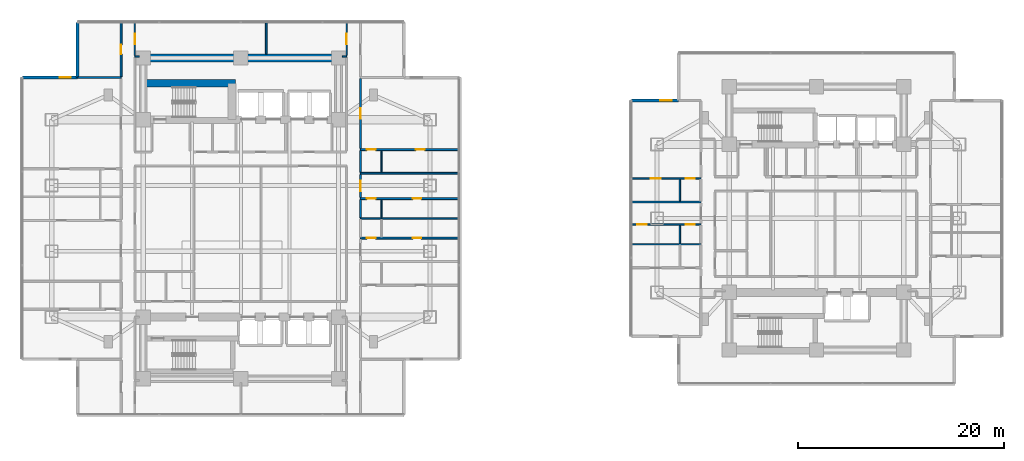
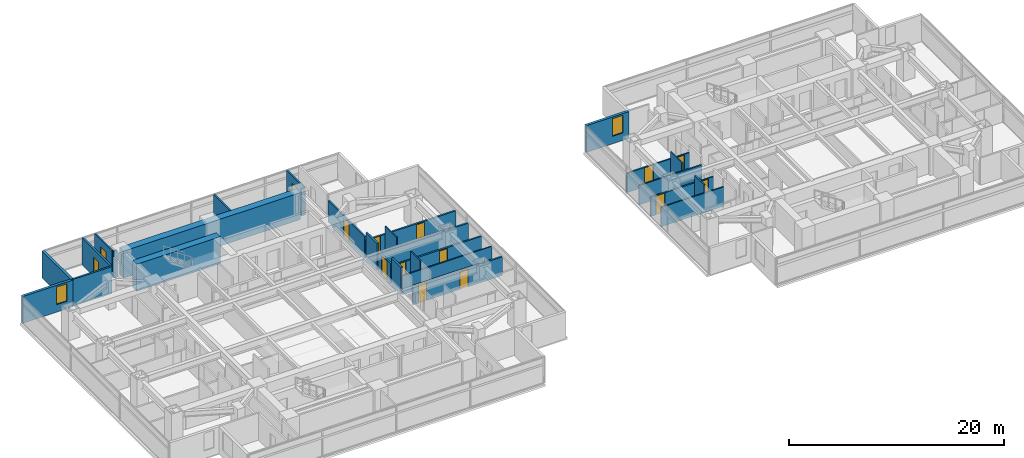
# One storey, part 15 of 26: 29 walls, 15 doors, 2 windows, 17 openings.
"""IFC4 building model written with IfcOpenShell, lengths in metres."""

from ifc_helpers import new_model, si_unit, direction, frame, frame_2d, origin, place, context, subcontext, project, spatial, rectangle, extrude, material, layer, layer_set, type_object, element, fill, save


model = new_model("IFC4")

# Units and contexts
model_context = context("Model", 3, precision=1e-05, world=origin(), true_north=direction((0.0, 1.0)))
body_context = subcontext(model_context, "Body", "Model", "MODEL_VIEW")
ifc_project = project(units=[si_unit("LENGTHUNIT", "METRE"), si_unit("AREAUNIT", "SQUARE_METRE"), si_unit("VOLUMEUNIT", "CUBIC_METRE"), si_unit("PLANEANGLEUNIT", "RADIAN"), si_unit("MASSUNIT", "GRAM", prefix="KILO")], contexts=[model_context])

# Site, building, storey
site_placement = place(None, origin())
site = spatial("IfcSite", under=ifc_project, at=site_placement, CompositionType="ELEMENT")
building_placement = place(site_placement, origin())
building = spatial("IfcBuilding", under=site, at=building_placement, Name="Mirazonda Arch Towers", CompositionType="ELEMENT")
storey_placement = place(building_placement, frame((0.0, 0.0, 25.699951171875)))
storey = spatial("IfcBuildingStorey", under=building, at=storey_placement, Name="L06", CompositionType="ELEMENT", Elevation=25.699951171875)

# Walls
ifc_material_1 = material(Name="Concrete C60/75", Category="concrete")
ifc_layer_1 = layer(ifc_material_1, 0.75, Name="WALL-CORE-750")
ifc_layer_set_1 = layer_set([ifc_layer_1], Name="Concrete C60/75")
wall_type_1 = type_object("IfcWallType", Name="WALL-CORE-750", PredefinedType="SHEAR", material=ifc_layer_set_1)
wall_1_placement = place(storey_placement, frame((11.0, 43.60009765625, 0.0), z_axis=(0.0, 0.0, 1.0), x_axis=(1.0, 0.0, 0.0)))
element("IfcWall", 1, at=wall_1_placement, inside=storey, type_object=wall_type_1, Name="L06 T1N-N Core Shear Wall", PredefinedType="SHEAR", context=body_context, shape_type="SweptSolid", body=[
    extrude(rectangle(XDim=19.0, YDim=0.75, at=frame_2d((9.5, 0.0))), origin(), (0.0, 0.0, 1.0), 3.06005859375),
])
wall_2_placement = place(storey_placement, frame((11.0, 41.14306640625, 0.0), z_axis=(0.0, 0.0, 1.0), x_axis=(1.0, 0.0, 0.0)))
element("IfcWall", 2, at=wall_2_placement, inside=storey, type_object=wall_type_1, Name="L06 T1N-STN Core Shear Wall", PredefinedType="SHEAR", context=body_context, shape_type="SweptSolid", body=[
    extrude(rectangle(XDim=9.0, YDim=0.75, at=frame_2d((4.5, 0.0))), origin(), (0.0, 0.0, 1.0), 3.06005859375),
])

# Wall, opening, window
ifc_material_2 = material(Name="Precast Concrete C40/50", Category="concrete")
ifc_layer_2 = layer(ifc_material_2, 0.280029296875, Name="WALL-EXT-WALL-280")
ifc_layer_set_2 = layer_set([ifc_layer_2], Name="Precast Concrete C40/50")
wall_type_2 = type_object("IfcWallType", Name="WALL-EXT-WALL-280", PredefinedType="SOLIDWALL", material=ifc_layer_set_2)
wall_3_placement = place(storey_placement, frame((4.6201171875, 41.697998046875, 0.0), z_axis=(0.0, 0.0, 1.0), x_axis=(-1.0, 0.0, 0.0)))
wall_3 = element("IfcWall", 3, at=wall_3_placement, inside=storey, type_object=wall_type_2, Name="L06 T1 Corner Notch Return Wall WL-L06-T1-CNW1", PredefinedType="SOLIDWALL", context=body_context, shape_type="SweptSolid", body=[
    extrude(rectangle(XDim=5.380126953125, YDim=0.280029296875, at=frame_2d((2.68994140625, 0.0))), origin(), (0.0, 0.0, 1.0), 3.0400390625),
])
opening_1_placement = place(wall_3_placement, frame((0.64990234375, 0.0, 0.85009765625)))
opening_1 = element("IfcOpeningElement", 4, at=opening_1_placement, cuts=wall_3, Name="Opening WN-108", PredefinedType="OPENING", context=body_context, shape_type="SweptSolid", body=[
    extrude(rectangle(XDim=1.10009765625, YDim=2.0, at=frame_2d((0.550048828125, 1.0))), frame((0.0, 0.14990234375, 0.0), z_axis=(0.0, -1.0, 0.0), x_axis=(1.0, 0.0, 0.0)), (0.0, 0.0, 1.0), 0.300048828125),
])
ifc_material_3 = material(Name="Insulated Low-E Solar Glass", Category="glass")
window_type = type_object("IfcWindowType", Name="WIN-NOTCH-1100x2000", PartitioningType="SINGLE_PANEL", PredefinedType="WINDOW", material=ifc_material_3)
window_1_placement = place(opening_1_placement, origin())
window_1 = element("IfcWindow", 5, at=window_1_placement, inside=storey, type_object=window_type, Name="L06 Punched Facade Window WN-L06-T1-CNW1", OverallHeight=2.0, OverallWidth=1.10009765625, PartitioningType="SINGLE_PANEL", PredefinedType="WINDOW", context=body_context, shape_type="SweptSolid", body=[
    extrude(rectangle(XDim=1.10009765625, YDim=2.0, at=frame_2d((0.550048828125, 1.0))), frame((0.0, 0.030029296875, 0.0), z_axis=(0.0, -1.0, 0.0), x_axis=(1.0, 0.0, 0.0)), (0.0, 0.0, 1.0), 0.06005859375),
])
fill(opening_1, window_1)

# Wall
wall_4_placement = place(storey_placement, frame((4.6201171875, 47.077880859375, 0.0), z_axis=(0.0, 0.0, 1.0), x_axis=(0.0, -1.0, 0.0)))
element("IfcWall", 6, at=wall_4_placement, inside=storey, type_object=wall_type_2, Name="L06 T1 Corner Notch Return Wall WL-L06-T1-CNW2", PredefinedType="SOLIDWALL", context=body_context, shape_type="SweptSolid", body=[
    extrude(rectangle(XDim=5.3798828125, YDim=0.280029296875, at=frame_2d((2.68994140625, 0.0))), origin(), (0.0, 0.0, 1.0), 3.0400390625),
])

# Wall, opening, window
wall_5_placement = place(storey_placement, frame((63.06201171875, 39.4833984375, 0.0), z_axis=(0.0, 0.0, 1.0), x_axis=(-1.0, 0.0, 0.0)))
wall_5 = element("IfcWall", 7, at=wall_5_placement, inside=storey, type_object=wall_type_2, Name="L06 T2 Corner Notch Return Wall WL-L06-T2-CNW1", PredefinedType="SOLIDWALL", context=body_context, shape_type="SweptSolid", body=[
    extrude(rectangle(XDim=4.580078125, YDim=0.280029296875, at=frame_2d((2.2900390625, 0.0))), origin(), (0.0, 0.0, 1.0), 3.0400390625),
])
opening_2_placement = place(wall_5_placement, frame((0.64990234375, 0.0, 0.85009765625)))
opening_2 = element("IfcOpeningElement", 8, at=opening_2_placement, cuts=wall_5, Name="Opening WN-108", PredefinedType="OPENING", context=body_context, shape_type="SweptSolid", body=[
    extrude(rectangle(XDim=1.10009765625, YDim=2.0, at=frame_2d((0.550048828125, 1.0))), frame((0.0, 0.14990234375, 0.0), z_axis=(0.0, -1.0, 0.0), x_axis=(1.0, 0.0, 0.0)), (0.0, 0.0, 1.0), 0.300048828125),
])
window_2_placement = place(opening_2_placement, origin())
window_2 = element("IfcWindow", 9, at=window_2_placement, inside=storey, type_object=window_type, Name="L06 Punched Facade Window WN-L06-T2-CNW1", OverallHeight=2.0, OverallWidth=1.10009765625, PartitioningType="SINGLE_PANEL", PredefinedType="WINDOW", context=body_context, shape_type="SweptSolid", body=[
    extrude(rectangle(XDim=1.10009765625, YDim=2.0, at=frame_2d((0.550048828125, 1.0))), frame((0.0, 0.030029296875, 0.0), z_axis=(0.0, -1.0, 0.0), x_axis=(1.0, 0.0, 0.0)), (0.0, 0.0, 1.0), 0.06005859375),
])
fill(opening_2, window_2)

# Wall, openings, doors
ifc_material_4 = material(Name="Fire-Rated Gypsum Stud Partition")
ifc_layer_3 = layer(ifc_material_4, 0.14990234375, Name="WALL-PART-CORR-150")
ifc_layer_set_3 = layer_set([ifc_layer_3], Name="Fire-Rated Gypsum Stud Partition")
wall_type_3 = type_object("IfcWallType", Name="WALL-PART-CORR-150", PredefinedType="PARTITIONING", material=ifc_layer_set_3)
wall_6_placement = place(storey_placement, frame((58.48193359375, 27.412109375, 0.0), z_axis=(0.0, 0.0, 1.0), x_axis=(1.0, 0.0, 0.0)))
wall_6 = element("IfcWall", 10, at=wall_6_placement, inside=storey, type_object=wall_type_3, Name="L06 Interior Partition 032", PredefinedType="PARTITIONING", context=body_context, shape_type="SweptSolid", body=[
    extrude(rectangle(XDim=6.76806640625, YDim=0.14990234375, at=frame_2d((3.384033203125, 0.0))), origin(), (0.0, 0.0, 1.0), 2.196044921875),
])
opening_3_placement = place(wall_6_placement, frame((0.55908203125, 0.0, 0.0)))
opening_3 = element("IfcOpeningElement", 11, at=opening_3_placement, cuts=wall_6, Name="Opening DR-104", PredefinedType="OPENING", context=body_context, shape_type="SweptSolid", body=[
    extrude(rectangle(XDim=0.949951171875, YDim=2.14990234375, at=frame_2d((0.47509765625, 1.074951171875))), frame((0.0, 0.0849609375, 0.0), z_axis=(0.0, -1.0, 0.0), x_axis=(1.0, 0.0, 0.0)), (0.0, 0.0, 1.0), 0.169921875),
])
opening_4_placement = place(wall_6_placement, frame((5.278076171875, 0.0, 0.0)))
opening_4 = element("IfcOpeningElement", 12, at=opening_4_placement, cuts=wall_6, Name="Opening DR-120", PredefinedType="OPENING", context=body_context, shape_type="SweptSolid", body=[
    extrude(rectangle(XDim=0.89990234375, YDim=2.10009765625, at=frame_2d((0.449951171875, 1.050048828125))), frame((0.0, 0.0849609375, 0.0), z_axis=(0.0, -1.0, 0.0), x_axis=(1.0, 0.0, 0.0)), (0.0, 0.0, 1.0), 0.169921875),
])
ifc_material_5 = material(Name="Architectural Brushed Steel S355", Category="steel")
door_type_1 = type_object("IfcDoorType", Name="DOOR-ROOM-950", OperationType="NOTDEFINED", PredefinedType="DOOR", material=ifc_material_5)
door_1_placement = place(opening_3_placement, origin())
door_1 = element("IfcDoor", 13, at=door_1_placement, inside=storey, type_object=door_type_1, Name="L06 Guestroom Study 2 Door", OperationType="SINGLE_SWING_LEFT", OverallHeight=2.14990234375, OverallWidth=0.949951171875, PredefinedType="DOOR", context=body_context, shape_type="SweptSolid", body=[
    extrude(rectangle(XDim=0.949951171875, YDim=2.14990234375, at=frame_2d((0.47509765625, 1.074951171875))), frame((0.0, 0.02490234375, 0.0), z_axis=(0.0, -1.0, 0.0), x_axis=(1.0, 0.0, 0.0)), (0.0, 0.0, 1.0), 0.050048828125),
])
fill(opening_3, door_1)
door_type_2 = type_object("IfcDoorType", Name="DOOR-WC-900", OperationType="NOTDEFINED", PredefinedType="DOOR", material=ifc_material_5)
door_2_placement = place(opening_4_placement, origin())
door_2 = element("IfcDoor", 14, at=door_2_placement, inside=storey, type_object=door_type_2, Name="L06 En-Suite Bathroom 2 Door", OperationType="SINGLE_SWING_RIGHT", OverallHeight=2.10009765625, OverallWidth=0.89990234375, PredefinedType="DOOR", context=body_context, shape_type="SweptSolid", body=[
    extrude(rectangle(XDim=0.89990234375, YDim=2.10009765625, at=frame_2d((0.449951171875, 1.050048828125))), frame((0.0, 0.02490234375, 0.0), z_axis=(0.0, -1.0, 0.0), x_axis=(1.0, 0.0, 0.0)), (0.0, 0.0, 1.0), 0.050048828125),
])
fill(opening_4, door_2)

# Wall
wall_7_placement = place(storey_placement, frame((58.48193359375, 29.595947265625, 0.0), z_axis=(0.0, 0.0, 1.0), x_axis=(1.0, 0.0, 0.0)))
element("IfcWall", 15, at=wall_7_placement, inside=storey, type_object=wall_type_3, Name="L06 Interior Partition 036", PredefinedType="PARTITIONING", context=body_context, shape_type="SweptSolid", body=[
    extrude(rectangle(XDim=6.76806640625, YDim=0.14990234375, at=frame_2d((3.384033203125, 0.0))), origin(), (0.0, 0.0, 1.0), 2.196044921875),
])

# Wall, openings, doors
wall_8_placement = place(storey_placement, frame((58.48193359375, 31.89599609375, 0.0), z_axis=(0.0, 0.0, 1.0), x_axis=(1.0, 0.0, 0.0)))
wall_8 = element("IfcWall", 16, at=wall_8_placement, inside=storey, type_object=wall_type_3, Name="L06 Interior Partition 040", PredefinedType="PARTITIONING", context=body_context, shape_type="SweptSolid", body=[
    extrude(rectangle(XDim=6.76806640625, YDim=0.14990234375, at=frame_2d((3.384033203125, 0.0))), origin(), (0.0, 0.0, 1.0), 2.196044921875),
])
opening_5_placement = place(wall_8_placement, frame((1.908935546875, 0.0, 0.0)))
opening_5 = element("IfcOpeningElement", 17, at=opening_5_placement, cuts=wall_8, Name="Opening DR-104", PredefinedType="OPENING", context=body_context, shape_type="SweptSolid", body=[
    extrude(rectangle(XDim=0.949951171875, YDim=2.14990234375, at=frame_2d((0.47509765625, 1.074951171875))), frame((0.0, 0.0849609375, 0.0), z_axis=(0.0, -1.0, 0.0), x_axis=(1.0, 0.0, 0.0)), (0.0, 0.0, 1.0), 0.169921875),
])
opening_6_placement = place(wall_8_placement, frame((5.278076171875, 0.0, 0.0)))
opening_6 = element("IfcOpeningElement", 18, at=opening_6_placement, cuts=wall_8, Name="Opening DR-120", PredefinedType="OPENING", context=body_context, shape_type="SweptSolid", body=[
    extrude(rectangle(XDim=0.89990234375, YDim=2.10009765625, at=frame_2d((0.449951171875, 1.050048828125))), frame((0.0, 0.0849609375, 0.0), z_axis=(0.0, -1.0, 0.0), x_axis=(1.0, 0.0, 0.0)), (0.0, 0.0, 1.0), 0.169921875),
])
door_3_placement = place(opening_5_placement, origin())
door_3 = element("IfcDoor", 19, at=door_3_placement, inside=storey, type_object=door_type_1, Name="L06 Guestroom Study 3 Door", OperationType="SINGLE_SWING_RIGHT", OverallHeight=2.14990234375, OverallWidth=0.949951171875, PredefinedType="DOOR", context=body_context, shape_type="SweptSolid", body=[
    extrude(rectangle(XDim=0.949951171875, YDim=2.14990234375, at=frame_2d((0.47509765625, 1.074951171875))), frame((0.0, 0.02490234375, 0.0), z_axis=(0.0, -1.0, 0.0), x_axis=(1.0, 0.0, 0.0)), (0.0, 0.0, 1.0), 0.050048828125),
])
fill(opening_5, door_3)
door_4_placement = place(opening_6_placement, origin())
door_4 = element("IfcDoor", 20, at=door_4_placement, inside=storey, type_object=door_type_2, Name="L06 En-Suite Bathroom 3 Door", OperationType="SINGLE_SWING_LEFT", OverallHeight=2.10009765625, OverallWidth=0.89990234375, PredefinedType="DOOR", context=body_context, shape_type="SweptSolid", body=[
    extrude(rectangle(XDim=0.89990234375, YDim=2.10009765625, at=frame_2d((0.449951171875, 1.050048828125))), frame((0.0, 0.02490234375, 0.0), z_axis=(0.0, -1.0, 0.0), x_axis=(1.0, 0.0, 0.0)), (0.0, 0.0, 1.0), 0.050048828125),
])
fill(opening_6, door_4)

# Walls
for number, where, z_axis, x_axis, name in (
    (21, (10.199951171875, 43.75, 0.0), (0.0, 0.0, 1.0), (1.0, 0.0, 0.0), "L06 Interior Partition 061"),
    (22, (30.3701171875, 43.75, 0.0), (0.0, 0.0, 1.0), (1.0, 0.0, 0.0), "L06 Interior Partition 062"),
):
    element("IfcWall", number, at=place(storey_placement, frame(where, z_axis=z_axis, x_axis=x_axis)), inside=storey, type_object=wall_type_3, Name=name, PredefinedType="PARTITIONING", context=body_context, shape_type="SweptSolid", body=[
        extrude(rectangle(XDim=0.429931640625, YDim=0.14990234375, at=frame_2d((0.21484375, 0.0))), origin(), (0.0, 0.0, 1.0), 3.06005859375),
    ])

# Wall, opening, door
wall_9_placement = place(storey_placement, frame((10.199951171875, 43.8349609375, 0.0), z_axis=(0.0, 0.0, 1.0), x_axis=(0.0, 1.0, 0.0)))
wall_9 = element("IfcWall", 23, at=wall_9_placement, inside=storey, type_object=wall_type_3, Name="L06 Interior Partition 079", PredefinedType="PARTITIONING", context=body_context, shape_type="SweptSolid", body=[
    extrude(rectangle(XDim=3.242919921875, YDim=0.14990234375, at=frame_2d((1.62158203125, 0.0))), origin(), (0.0, 0.0, 1.0), 3.06005859375),
])
opening_7_placement = place(wall_9_placement, frame((1.096435546875, 0.0, 0.0)))
opening_7 = element("IfcOpeningElement", 24, at=opening_7_placement, cuts=wall_9, Name="Opening DR-121", PredefinedType="OPENING", context=body_context, shape_type="SweptSolid", body=[
    extrude(rectangle(XDim=1.050048828125, YDim=2.199951171875, at=frame_2d((0.52490234375, 1.10009765625))), frame((0.0, 0.0849609375, 0.0), z_axis=(0.0, -1.0, 0.0), x_axis=(1.0, 0.0, 0.0)), (0.0, 0.0, 1.0), 0.169921875),
])
door_type_3 = type_object("IfcDoorType", Name="DOOR-SUITE-FD60-1050", OperationType="NOTDEFINED", PredefinedType="DOOR", material=ifc_material_5)
door_5_placement = place(opening_7_placement, origin())
door_5 = element("IfcDoor", 25, at=door_5_placement, inside=storey, type_object=door_type_3, Name="L06 North Reading Salon West Door", OperationType="SINGLE_SWING_RIGHT", OverallHeight=2.199951171875, OverallWidth=1.050048828125, PredefinedType="DOOR", context=body_context, shape_type="SweptSolid", body=[
    extrude(rectangle(XDim=1.050048828125, YDim=2.199951171875, at=frame_2d((0.52490234375, 1.10009765625))), frame((0.0, 0.02490234375, 0.0), z_axis=(0.0, -1.0, 0.0), x_axis=(1.0, 0.0, 0.0)), (0.0, 0.0, 1.0), 0.050048828125),
])
fill(opening_7, door_5)

# Wall
wall_10_placement = place(storey_placement, frame((22.971923828125, 43.969970703125, 0.0), z_axis=(0.0, 0.0, 1.0), x_axis=(0.0, 1.0, 0.0)))
element("IfcWall", 26, at=wall_10_placement, inside=storey, type_object=wall_type_3, Name="L06 Interior Partition 092", PredefinedType="PARTITIONING", context=body_context, shape_type="SweptSolid", body=[
    extrude(rectangle(XDim=3.10791015625, YDim=0.14990234375, at=frame_2d((1.553955078125, 0.0))), origin(), (0.0, 0.0, 1.0), 3.06005859375),
])

# Wall, opening, door
wall_11_placement = place(storey_placement, frame((30.800048828125, 43.8349609375, 0.0), z_axis=(0.0, 0.0, 1.0), x_axis=(0.0, 1.0, 0.0)))
wall_11 = element("IfcWall", 27, at=wall_11_placement, inside=storey, type_object=wall_type_3, Name="L06 Interior Partition 105", PredefinedType="PARTITIONING", context=body_context, shape_type="SweptSolid", body=[
    extrude(rectangle(XDim=3.242919921875, YDim=0.14990234375, at=frame_2d((1.62158203125, 0.0))), origin(), (0.0, 0.0, 1.0), 3.06005859375),
])
opening_8_placement = place(wall_11_placement, frame((1.096435546875, 0.0, 0.0)))
opening_8 = element("IfcOpeningElement", 28, at=opening_8_placement, cuts=wall_11, Name="Opening DR-121", PredefinedType="OPENING", context=body_context, shape_type="SweptSolid", body=[
    extrude(rectangle(XDim=1.050048828125, YDim=2.199951171875, at=frame_2d((0.52490234375, 1.10009765625))), frame((0.0, 0.0849609375, 0.0), z_axis=(0.0, -1.0, 0.0), x_axis=(1.0, 0.0, 0.0)), (0.0, 0.0, 1.0), 0.169921875),
])
door_6_placement = place(opening_8_placement, origin())
door_6 = element("IfcDoor", 29, at=door_6_placement, inside=storey, type_object=door_type_3, Name="L06 North Reading Salon East Door", OperationType="SINGLE_SWING_LEFT", OverallHeight=2.199951171875, OverallWidth=1.050048828125, PredefinedType="DOOR", context=body_context, shape_type="SweptSolid", body=[
    extrude(rectangle(XDim=1.050048828125, YDim=2.199951171875, at=frame_2d((0.52490234375, 1.10009765625))), frame((0.0, 0.02490234375, 0.0), z_axis=(0.0, -1.0, 0.0), x_axis=(1.0, 0.0, 0.0)), (0.0, 0.0, 1.0), 0.050048828125),
])
fill(opening_8, door_6)

# Wall, openings, doors
ifc_material_6 = material(Name="Fire-Rated Gypsum Twin-Stud Assembly")
ifc_layer_4 = layer(ifc_material_6, 0.179931640625, Name="WALL-PART-DEMISE-180")
ifc_layer_set_4 = layer_set([ifc_layer_4], Name="Fire-Rated Gypsum Twin-Stud Assembly")
wall_type_4 = type_object("IfcWallType", Name="WALL-PART-DEMISE-180", PredefinedType="PARTITIONING", material=ifc_layer_set_4)
wall_12_placement = place(storey_placement, frame((32.139892578125, 26.080078125, 0.0), z_axis=(0.0, 0.0, 1.0), x_axis=(1.0, 0.0, 0.0)))
wall_12 = element("IfcWall", 30, at=wall_12_placement, inside=storey, type_object=wall_type_4, Name="L06 Interior Partition 030", PredefinedType="PARTITIONING", context=body_context, shape_type="SweptSolid", body=[
    extrude(rectangle(XDim=9.6201171875, YDim=0.179931640625, at=frame_2d((4.81005859375, 0.0))), origin(), (0.0, 0.0, 1.0), 2.125),
])
opening_9_placement = place(wall_12_placement, frame((5.0849609375, 0.0, 0.0)))
opening_9 = element("IfcOpeningElement", 31, at=opening_9_placement, cuts=wall_12, Name="Opening DR-128", PredefinedType="OPENING", context=body_context, shape_type="SweptSolid", body=[
    extrude(rectangle(XDim=0.85009765625, YDim=2.010009765625, at=frame_2d((0.425048828125, 1.0048828125))), frame((0.0, 0.099853515625, 0.0), z_axis=(0.0, -1.0, 0.0), x_axis=(1.0, 0.0, 0.0)), (0.0, 0.0, 1.0), 0.199951171875),
])
opening_10_placement = place(wall_12_placement, frame((0.590087890625, 0.0, 0.0)))
opening_10 = element("IfcOpeningElement", 32, at=opening_10_placement, cuts=wall_12, Name="Opening DR-120", PredefinedType="OPENING", context=body_context, shape_type="SweptSolid", body=[
    extrude(rectangle(XDim=0.89990234375, YDim=2.10009765625, at=frame_2d((0.449951171875, 1.050048828125))), frame((0.0, 0.099853515625, 0.0), z_axis=(0.0, -1.0, 0.0), x_axis=(1.0, 0.0, 0.0)), (0.0, 0.0, 1.0), 0.199951171875),
])
door_type_4 = type_object("IfcDoorType", Name="DOOR-RISER-FD60-850", OperationType="NOTDEFINED", PredefinedType="DOOR", material=ifc_material_5)
door_7_placement = place(opening_9_placement, origin())
door_7 = element("IfcDoor", 33, at=door_7_placement, inside=storey, type_object=door_type_4, Name="L06 Guestroom Study 2 Door", OperationType="SINGLE_SWING_RIGHT", OverallHeight=2.010009765625, OverallWidth=0.85009765625, PredefinedType="DOOR", context=body_context, shape_type="SweptSolid", body=[
    extrude(rectangle(XDim=0.85009765625, YDim=2.010009765625, at=frame_2d((0.425048828125, 1.0048828125))), frame((0.0, 0.02490234375, 0.0), z_axis=(0.0, -1.0, 0.0), x_axis=(1.0, 0.0, 0.0)), (0.0, 0.0, 1.0), 0.050048828125),
])
fill(opening_9, door_7)
door_8_placement = place(opening_10_placement, origin())
door_8 = element("IfcDoor", 34, at=door_8_placement, inside=storey, type_object=door_type_2, Name="L06 En-Suite Bathroom 2 Door", OperationType="SINGLE_SWING_LEFT", OverallHeight=2.10009765625, OverallWidth=0.89990234375, PredefinedType="DOOR", context=body_context, shape_type="SweptSolid", body=[
    extrude(rectangle(XDim=0.89990234375, YDim=2.10009765625, at=frame_2d((0.449951171875, 1.050048828125))), frame((0.0, 0.02490234375, 0.0), z_axis=(0.0, -1.0, 0.0), x_axis=(1.0, 0.0, 0.0)), (0.0, 0.0, 1.0), 0.050048828125),
])
fill(opening_10, door_8)

wall_13_placement = place(storey_placement, frame((32.139892578125, 29.919921875, 0.0), z_axis=(0.0, 0.0, 1.0), x_axis=(1.0, 0.0, 0.0)))
wall_13 = element("IfcWall", 35, at=wall_13_placement, inside=storey, type_object=wall_type_4, Name="L06 Interior Partition 037", PredefinedType="PARTITIONING", context=body_context, shape_type="SweptSolid", body=[
    extrude(rectangle(XDim=9.6201171875, YDim=0.179931640625, at=frame_2d((4.81005859375, 0.0))), origin(), (0.0, 0.0, 1.0), 2.125),
])
opening_11_placement = place(wall_13_placement, frame((5.0849609375, 0.0, 0.0)))
opening_11 = element("IfcOpeningElement", 36, at=opening_11_placement, cuts=wall_13, Name="Opening DR-128", PredefinedType="OPENING", context=body_context, shape_type="SweptSolid", body=[
    extrude(rectangle(XDim=0.85009765625, YDim=2.010009765625, at=frame_2d((0.425048828125, 1.0048828125))), frame((0.0, 0.099853515625, 0.0), z_axis=(0.0, -1.0, 0.0), x_axis=(1.0, 0.0, 0.0)), (0.0, 0.0, 1.0), 0.199951171875),
])
opening_12_placement = place(wall_13_placement, frame((0.590087890625, 0.0, 0.0)))
opening_12 = element("IfcOpeningElement", 37, at=opening_12_placement, cuts=wall_13, Name="Opening DR-120", PredefinedType="OPENING", context=body_context, shape_type="SweptSolid", body=[
    extrude(rectangle(XDim=0.89990234375, YDim=2.10009765625, at=frame_2d((0.449951171875, 1.050048828125))), frame((0.0, 0.099853515625, 0.0), z_axis=(0.0, -1.0, 0.0), x_axis=(1.0, 0.0, 0.0)), (0.0, 0.0, 1.0), 0.199951171875),
])
door_9_placement = place(opening_11_placement, origin())
door_9 = element("IfcDoor", 38, at=door_9_placement, inside=storey, type_object=door_type_4, Name="L06 Guestroom Study 3 Door", OperationType="SINGLE_SWING_LEFT", OverallHeight=2.010009765625, OverallWidth=0.85009765625, PredefinedType="DOOR", context=body_context, shape_type="SweptSolid", body=[
    extrude(rectangle(XDim=0.85009765625, YDim=2.010009765625, at=frame_2d((0.425048828125, 1.0048828125))), frame((0.0, 0.02490234375, 0.0), z_axis=(0.0, -1.0, 0.0), x_axis=(1.0, 0.0, 0.0)), (0.0, 0.0, 1.0), 0.050048828125),
])
fill(opening_11, door_9)
door_10_placement = place(opening_12_placement, origin())
door_10 = element("IfcDoor", 39, at=door_10_placement, inside=storey, type_object=door_type_2, Name="L06 En-Suite Bathroom 3 Door", OperationType="SINGLE_SWING_RIGHT", OverallHeight=2.10009765625, OverallWidth=0.89990234375, PredefinedType="DOOR", context=body_context, shape_type="SweptSolid", body=[
    extrude(rectangle(XDim=0.89990234375, YDim=2.10009765625, at=frame_2d((0.449951171875, 1.050048828125))), frame((0.0, 0.02490234375, 0.0), z_axis=(0.0, -1.0, 0.0), x_axis=(1.0, 0.0, 0.0)), (0.0, 0.0, 1.0), 0.050048828125),
])
fill(opening_12, door_10)

# Wall
wall_14_placement = place(storey_placement, frame((32.139892578125, 32.39208984375, 0.0), z_axis=(0.0, 0.0, 1.0), x_axis=(1.0, 0.0, 0.0)))
element("IfcWall", 40, at=wall_14_placement, inside=storey, type_object=wall_type_4, Name="L06 Interior Partition 043", PredefinedType="PARTITIONING", context=body_context, shape_type="SweptSolid", body=[
    extrude(rectangle(XDim=9.6201171875, YDim=0.179931640625, at=frame_2d((4.81005859375, 0.0))), origin(), (0.0, 0.0, 1.0), 2.125),
])

# Wall, openings, doors
wall_15_placement = place(storey_placement, frame((32.139892578125, 34.69189453125, 0.0), z_axis=(0.0, 0.0, 1.0), x_axis=(1.0, 0.0, 0.0)))
wall_15 = element("IfcWall", 41, at=wall_15_placement, inside=storey, type_object=wall_type_4, Name="L06 Interior Partition 048", PredefinedType="PARTITIONING", context=body_context, shape_type="SweptSolid", body=[
    extrude(rectangle(XDim=9.6201171875, YDim=0.179931640625, at=frame_2d((4.81005859375, 0.0))), origin(), (0.0, 0.0, 1.0), 2.125),
])
opening_13_placement = place(wall_15_placement, frame((5.385009765625, 0.0, 0.0)))
opening_13 = element("IfcOpeningElement", 42, at=opening_13_placement, cuts=wall_15, Name="Opening DR-128", PredefinedType="OPENING", context=body_context, shape_type="SweptSolid", body=[
    extrude(rectangle(XDim=0.85009765625, YDim=2.010009765625, at=frame_2d((0.425048828125, 1.0048828125))), frame((0.0, 0.099853515625, 0.0), z_axis=(0.0, -1.0, 0.0), x_axis=(1.0, 0.0, 0.0)), (0.0, 0.0, 1.0), 0.199951171875),
])
opening_14_placement = place(wall_15_placement, frame((0.590087890625, 0.0, 0.0)))
opening_14 = element("IfcOpeningElement", 43, at=opening_14_placement, cuts=wall_15, Name="Opening DR-120", PredefinedType="OPENING", context=body_context, shape_type="SweptSolid", body=[
    extrude(rectangle(XDim=0.89990234375, YDim=2.10009765625, at=frame_2d((0.449951171875, 1.050048828125))), frame((0.0, 0.099853515625, 0.0), z_axis=(0.0, -1.0, 0.0), x_axis=(1.0, 0.0, 0.0)), (0.0, 0.0, 1.0), 0.199951171875),
])
door_11_placement = place(opening_13_placement, origin())
door_11 = element("IfcDoor", 44, at=door_11_placement, inside=storey, type_object=door_type_4, Name="L06 Suite Bedroom 4 Door", OperationType="SINGLE_SWING_RIGHT", OverallHeight=2.010009765625, OverallWidth=0.85009765625, PredefinedType="DOOR", context=body_context, shape_type="SweptSolid", body=[
    extrude(rectangle(XDim=0.85009765625, YDim=2.010009765625, at=frame_2d((0.425048828125, 1.0048828125))), frame((0.0, 0.02490234375, 0.0), z_axis=(0.0, -1.0, 0.0), x_axis=(1.0, 0.0, 0.0)), (0.0, 0.0, 1.0), 0.050048828125),
])
fill(opening_13, door_11)
door_12_placement = place(opening_14_placement, origin())
door_12 = element("IfcDoor", 45, at=door_12_placement, inside=storey, type_object=door_type_2, Name="L06 Suite En-Suite Bathroom 4 Door", OperationType="SINGLE_SWING_LEFT", OverallHeight=2.10009765625, OverallWidth=0.89990234375, PredefinedType="DOOR", context=body_context, shape_type="SweptSolid", body=[
    extrude(rectangle(XDim=0.89990234375, YDim=2.10009765625, at=frame_2d((0.449951171875, 1.050048828125))), frame((0.0, 0.02490234375, 0.0), z_axis=(0.0, -1.0, 0.0), x_axis=(1.0, 0.0, 0.0)), (0.0, 0.0, 1.0), 0.050048828125),
])
fill(opening_14, door_12)

# Wall
wall_16_placement = place(storey_placement, frame((4.639892578125, 41.697998046875, 0.0), z_axis=(0.0, 0.0, 1.0), x_axis=(1.0, 0.0, 0.0)))
element("IfcWall", 46, at=wall_16_placement, inside=storey, type_object=wall_type_4, Name="L06 Interior Partition 059", PredefinedType="PARTITIONING", context=body_context, shape_type="SweptSolid", body=[
    extrude(rectangle(XDim=4.22021484375, YDim=0.179931640625, at=frame_2d((2.110107421875, 0.0))), origin(), (0.0, 0.0, 1.0), 3.06005859375),
])

# Wall, opening, door
wall_17_placement = place(storey_placement, frame((8.860107421875, 41.798095703125, 0.0), z_axis=(0.0, 0.0, 1.0), x_axis=(0.0, 1.0, 0.0)))
wall_17 = element("IfcWall", 47, at=wall_17_placement, inside=storey, type_object=wall_type_4, Name="L06 Interior Partition 073", PredefinedType="PARTITIONING", context=body_context, shape_type="SweptSolid", body=[
    extrude(rectangle(XDim=5.27978515625, YDim=0.179931640625, at=frame_2d((2.639892578125, 0.0))), origin(), (0.0, 0.0, 1.0), 3.06005859375),
])
opening_15_placement = place(wall_17_placement, frame((2.1650390625, 0.0, 0.0)))
opening_15 = element("IfcOpeningElement", 48, at=opening_15_placement, cuts=wall_17, Name="Opening DR-104", PredefinedType="OPENING", context=body_context, shape_type="SweptSolid", body=[
    extrude(rectangle(XDim=0.949951171875, YDim=2.14990234375, at=frame_2d((0.47509765625, 1.074951171875))), frame((0.0, 0.099853515625, 0.0), z_axis=(0.0, -1.0, 0.0), x_axis=(1.0, 0.0, 0.0)), (0.0, 0.0, 1.0), 0.199951171875),
])
door_13_placement = place(opening_15_placement, origin())
door_13 = element("IfcDoor", 49, at=door_13_placement, inside=storey, type_object=door_type_1, Name="L06 North Reading Salon Alcove West Door", OperationType="SINGLE_SWING_RIGHT", OverallHeight=2.14990234375, OverallWidth=0.949951171875, PredefinedType="DOOR", context=body_context, shape_type="SweptSolid", body=[
    extrude(rectangle(XDim=0.949951171875, YDim=2.14990234375, at=frame_2d((0.47509765625, 1.074951171875))), frame((0.0, 0.02490234375, 0.0), z_axis=(0.0, -1.0, 0.0), x_axis=(1.0, 0.0, 0.0)), (0.0, 0.0, 1.0), 0.050048828125),
])
fill(opening_15, door_13)

# Wall
wall_18_placement = place(storey_placement, frame((32.139892578125, 28.072509765625, 0.0), z_axis=(0.0, 0.0, 1.0), x_axis=(0.0, 1.0, 0.0)))
element("IfcWall", 50, at=wall_18_placement, inside=storey, type_object=wall_type_4, Name="L06 Interior Partition 111", PredefinedType="PARTITIONING", context=body_context, shape_type="SweptSolid", body=[
    extrude(rectangle(XDim=1.74755859375, YDim=0.179931640625, at=frame_2d((0.873779296875, 0.0))), origin(), (0.0, 0.0, 1.0), 3.06005859375),
])

# Wall, opening, door
wall_19_placement = place(storey_placement, frame((32.139892578125, 30.02001953125, 0.0), z_axis=(0.0, 0.0, 1.0), x_axis=(0.0, 1.0, 0.0)))
wall_19 = element("IfcWall", 51, at=wall_19_placement, inside=storey, type_object=wall_type_4, Name="L06 Interior Partition 112", PredefinedType="PARTITIONING", context=body_context, shape_type="SweptSolid", body=[
    extrude(rectangle(XDim=2.27197265625, YDim=0.179931640625, at=frame_2d((1.135986328125, 0.0))), origin(), (0.0, 0.0, 1.0), 2.279052734375),
])
opening_16_placement = place(wall_19_placement, frame((0.611083984375, 0.0, 0.0)))
opening_16 = element("IfcOpeningElement", 52, at=opening_16_placement, cuts=wall_19, Name="Opening DR-121", PredefinedType="OPENING", context=body_context, shape_type="SweptSolid", body=[
    extrude(rectangle(XDim=1.050048828125, YDim=2.199951171875, at=frame_2d((0.52490234375, 1.10009765625))), frame((0.0, 0.099853515625, 0.0), z_axis=(0.0, -1.0, 0.0), x_axis=(1.0, 0.0, 0.0)), (0.0, 0.0, 1.0), 0.199951171875),
])
door_14_placement = place(opening_16_placement, origin())
door_14 = element("IfcDoor", 53, at=door_14_placement, inside=storey, type_object=door_type_3, Name="L06 King Hotel Guestroom 3 Door", OperationType="SINGLE_SWING_RIGHT", OverallHeight=2.199951171875, OverallWidth=1.050048828125, PredefinedType="DOOR", context=body_context, shape_type="SweptSolid", body=[
    extrude(rectangle(XDim=1.050048828125, YDim=2.199951171875, at=frame_2d((0.52490234375, 1.10009765625))), frame((0.0, 0.02490234375, 0.0), z_axis=(0.0, -1.0, 0.0), x_axis=(1.0, 0.0, 0.0)), (0.0, 0.0, 1.0), 0.050048828125),
])
fill(opening_16, door_14)

# Wall
wall_20_placement = place(storey_placement, frame((32.139892578125, 32.491943359375, 0.0), z_axis=(0.0, 0.0, 1.0), x_axis=(0.0, 1.0, 0.0)))
element("IfcWall", 54, at=wall_20_placement, inside=storey, type_object=wall_type_4, Name="L06 Interior Partition 113", PredefinedType="PARTITIONING", context=body_context, shape_type="SweptSolid", body=[
    extrude(rectangle(XDim=2.10009765625, YDim=0.179931640625, at=frame_2d((1.050048828125, 0.0))), origin(), (0.0, 0.0, 1.0), 3.06005859375),
])

# Wall, opening, door
wall_21_placement = place(storey_placement, frame((32.139892578125, 34.7919921875, 0.0), z_axis=(0.0, 0.0, 1.0), x_axis=(0.0, 1.0, 0.0)))
wall_21 = element("IfcWall", 55, at=wall_21_placement, inside=storey, type_object=wall_type_4, Name="L06 Interior Partition 114", PredefinedType="PARTITIONING", context=body_context, shape_type="SweptSolid", body=[
    extrude(rectangle(XDim=6.805908203125, YDim=0.179931640625, at=frame_2d((3.40283203125, 0.0))), origin(), (0.0, 0.0, 1.0), 2.43603515625),
])
opening_17_placement = place(wall_21_placement, frame((2.8779296875, 0.0, 0.0)))
opening_17 = element("IfcOpeningElement", 56, at=opening_17_placement, cuts=wall_21, Name="Opening DR-121", PredefinedType="OPENING", context=body_context, shape_type="SweptSolid", body=[
    extrude(rectangle(XDim=1.050048828125, YDim=2.199951171875, at=frame_2d((0.52490234375, 1.10009765625))), frame((0.0, 0.099853515625, 0.0), z_axis=(0.0, -1.0, 0.0), x_axis=(1.0, 0.0, 0.0)), (0.0, 0.0, 1.0), 0.199951171875),
])
door_15_placement = place(opening_17_placement, origin())
door_15 = element("IfcDoor", 57, at=door_15_placement, inside=storey, type_object=door_type_3, Name="L06 Deluxe Suite Living Room 4 Door", OperationType="SINGLE_SWING_LEFT", OverallHeight=2.199951171875, OverallWidth=1.050048828125, PredefinedType="DOOR", context=body_context, shape_type="SweptSolid", body=[
    extrude(rectangle(XDim=1.050048828125, YDim=2.199951171875, at=frame_2d((0.52490234375, 1.10009765625))), frame((0.0, 0.02490234375, 0.0), z_axis=(0.0, -1.0, 0.0), x_axis=(1.0, 0.0, 0.0)), (0.0, 0.0, 1.0), 0.050048828125),
])
fill(opening_17, door_15)

# Walls
ifc_material_7 = material(Name="Acoustic Fire-Rated Gypsum Partition")
ifc_layer_5 = layer(ifc_material_7, 0.125, Name="WALL-PART-UNIT-125")
ifc_layer_set_5 = layer_set([ifc_layer_5], Name="Acoustic Fire-Rated Gypsum Partition")
wall_type_5 = type_object("IfcWallType", Name="WALL-PART-UNIT-125", PredefinedType="PARTITIONING", material=ifc_layer_set_5)
wall_22_placement = place(storey_placement, frame((58.48193359375, 25.491943359375, 0.0), z_axis=(0.0, 0.0, 1.0), x_axis=(1.0, 0.0, 0.0)))
element("IfcWall", 58, at=wall_22_placement, inside=storey, type_object=wall_type_5, Name="L06 Interior Partition 029", PredefinedType="PARTITIONING", context=body_context, shape_type="SweptSolid", body=[
    extrude(rectangle(XDim=6.76806640625, YDim=0.125, at=frame_2d((3.384033203125, 0.0))), origin(), (0.0, 0.0, 1.0), 2.196044921875),
])
wall_23_placement = place(storey_placement, frame((32.139892578125, 28.0, 0.0), z_axis=(0.0, 0.0, 1.0), x_axis=(1.0, 0.0, 0.0)))
element("IfcWall", 59, at=wall_23_placement, inside=storey, type_object=wall_type_5, Name="L06 Interior Partition 034", PredefinedType="PARTITIONING", context=body_context, shape_type="SweptSolid", body=[
    extrude(rectangle(XDim=9.6201171875, YDim=0.125, at=frame_2d((4.81005859375, 0.0))), origin(), (0.0, 0.0, 1.0), 2.125),
])
wall_24_placement = place(storey_placement, frame((34.179931640625, 28.072509765625, 0.0), z_axis=(0.0, 0.0, 1.0), x_axis=(0.0, 1.0, 0.0)))
element("IfcWall", 60, at=wall_24_placement, inside=storey, type_object=wall_type_5, Name="L06 Interior Partition 118", PredefinedType="PARTITIONING", context=body_context, shape_type="SweptSolid", body=[
    extrude(rectangle(XDim=1.74755859375, YDim=0.125, at=frame_2d((0.873779296875, 0.0))), origin(), (0.0, 0.0, 1.0), 3.06005859375),
])
wall_25_placement = place(storey_placement, frame((34.179931640625, 32.491943359375, 0.0), z_axis=(0.0, 0.0, 1.0), x_axis=(0.0, 1.0, 0.0)))
element("IfcWall", 61, at=wall_25_placement, inside=storey, type_object=wall_type_5, Name="L06 Interior Partition 119", PredefinedType="PARTITIONING", context=body_context, shape_type="SweptSolid", body=[
    extrude(rectangle(XDim=2.10009765625, YDim=0.125, at=frame_2d((1.050048828125, 0.0))), origin(), (0.0, 0.0, 1.0), 3.06005859375),
])
wall_26_placement = place(storey_placement, frame((63.2099609375, 25.564453125, 0.0), z_axis=(0.0, 0.0, 1.0), x_axis=(0.0, 1.0, 0.0)))
element("IfcWall", 62, at=wall_26_placement, inside=storey, type_object=wall_type_5, Name="L06 Interior Partition 121", PredefinedType="PARTITIONING", context=body_context, shape_type="SweptSolid", body=[
    extrude(rectangle(XDim=1.762451171875, YDim=0.125, at=frame_2d((0.88134765625, 0.0))), origin(), (0.0, 0.0, 1.0), 3.06005859375),
])
wall_27_placement = place(storey_placement, frame((63.2099609375, 29.680908203125, 0.0), z_axis=(0.0, 0.0, 1.0), x_axis=(0.0, 1.0, 0.0)))
element("IfcWall", 63, at=wall_27_placement, inside=storey, type_object=wall_type_5, Name="L06 Interior Partition 122", PredefinedType="PARTITIONING", context=body_context, shape_type="SweptSolid", body=[
    extrude(rectangle(XDim=2.130126953125, YDim=0.125, at=frame_2d((1.06494140625, 0.0))), origin(), (0.0, 0.0, 1.0), 3.06005859375),
])

save(model, "model.ifc")
